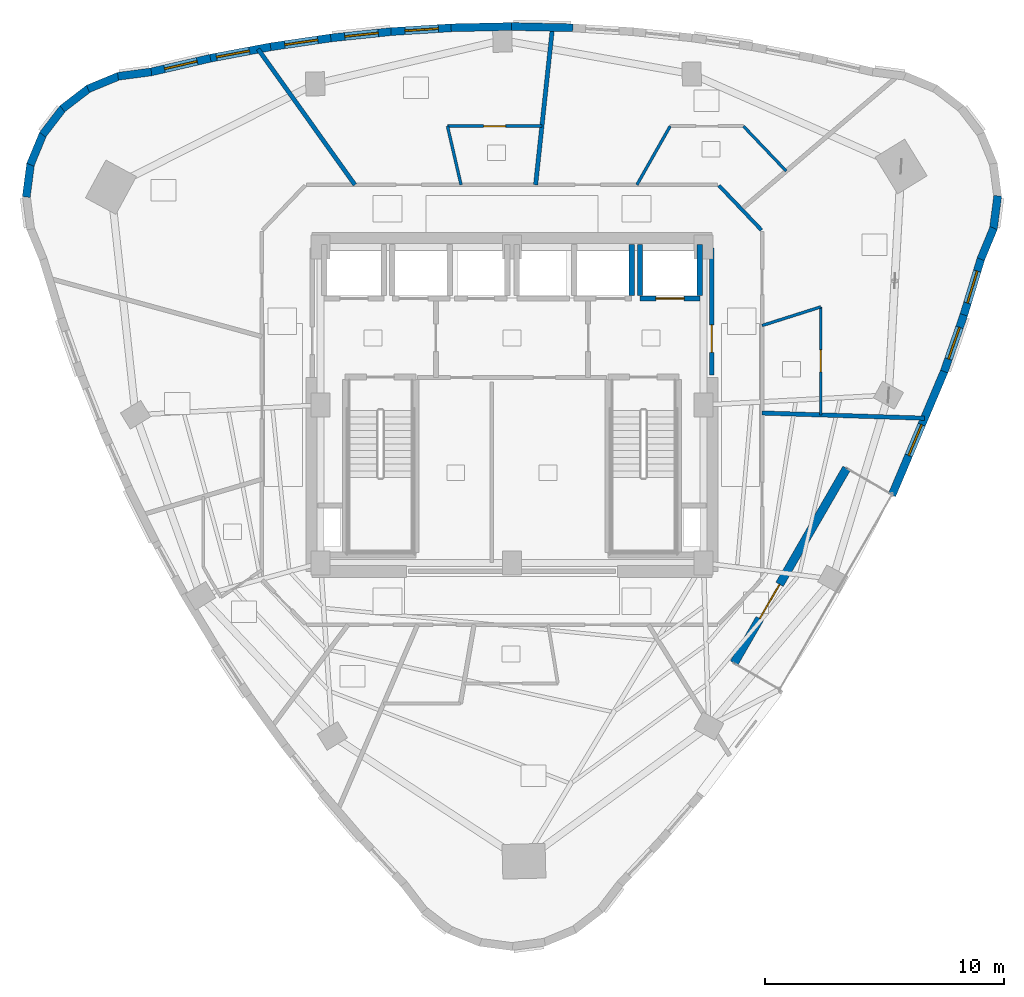
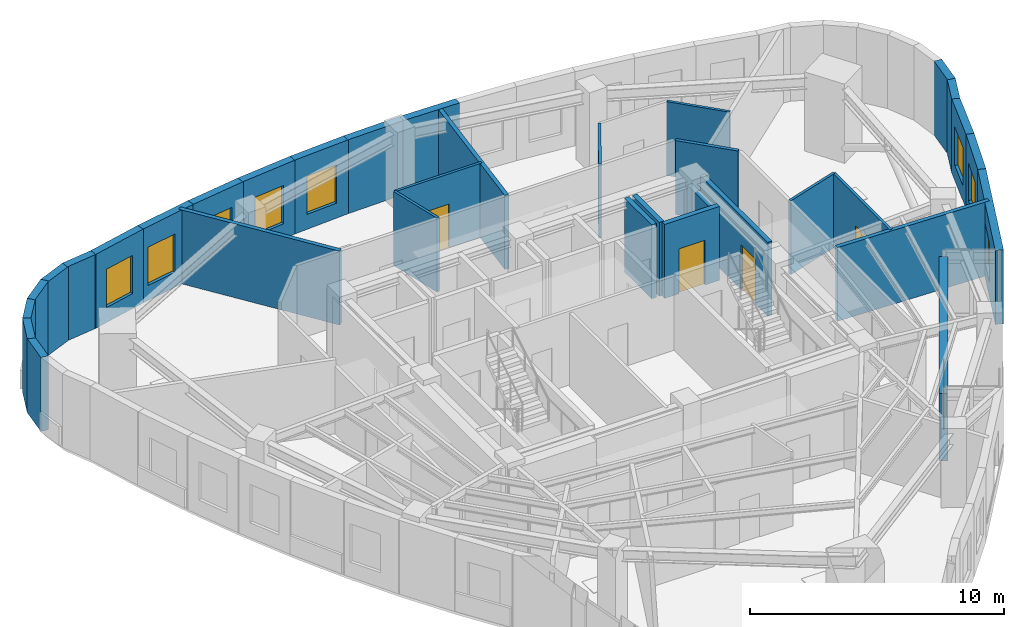
# One storey, part 8 of 12: 34 walls, 8 windows, 5 doors, 13 openings.
"""IFC4 building model written with IfcOpenShell, lengths in metres."""

from ifc_helpers import new_model, si_unit, direction, frame, frame_2d, origin, place, context, subcontext, project, spatial, rectangle, extrude, material, layer, layer_set, type_object, element, fill, save


model = new_model("IFC4")

# Units and contexts
model_context = context("Model", 3, precision=1e-05, world=origin(), true_north=direction((0.0, 1.0)))
body_context = subcontext(model_context, "Body", "Model", "MODEL_VIEW")
ifc_project = project(units=[si_unit("LENGTHUNIT", "METRE"), si_unit("AREAUNIT", "SQUARE_METRE"), si_unit("VOLUMEUNIT", "CUBIC_METRE"), si_unit("PLANEANGLEUNIT", "RADIAN"), si_unit("MASSUNIT", "GRAM", prefix="KILO")], contexts=[model_context])

# Site, building, storey
site_placement = place(None, origin())
site = spatial("IfcSite", under=ifc_project, at=site_placement, CompositionType="ELEMENT")
building_placement = place(site_placement, origin())
building = spatial("IfcBuilding", under=site, at=building_placement, Name="Ndelora Gate Hotel", CompositionType="ELEMENT")
storey_placement = place(building_placement, frame((0.0, 0.0, 213.14990234375)))
storey = spatial("IfcBuildingStorey", under=building, at=storey_placement, Name="L53", CompositionType="ELEMENT", Elevation=213.14990234375)

# Walls
ifc_material_1 = material(Name="Acoustic Double-Stud Gypsum Assembly", Category="gypsum")
ifc_layer_1 = layer(ifc_material_1, 0.179931640625)
ifc_layer_set_1 = layer_set([ifc_layer_1], Name="Acoustic Double-Stud Gypsum Assembly")
wall_type_1 = type_object("IfcWallType", Name="WL-ACOUST-180", PredefinedType="PARTITIONING", material=ifc_layer_set_1)
wall_1_placement = place(storey_placement, frame((10.449951171875, -0.335205078125, 0.0), z_axis=(0.0, 0.0, 1.0), x_axis=(0.99948738044, -0.032015251704, 0.0)))
element("IfcWall", 1, at=wall_1_placement, inside=storey, type_object=wall_type_1, Name="L53 Interior Wall IW-3", PredefinedType="PARTITIONING", context=body_context, shape_type="SweptSolid", body=[
    extrude(rectangle(XDim=6.786865234375, YDim=0.179931640625, at=frame_2d((3.3935546875, 0.0))), origin(), (0.0, 0.0, 1.0), 3.550048828125),
])
wall_2_placement = place(storey_placement, frame((0.98681640625, 9.199951171875, 0.0), z_axis=(0.0, 0.0, 1.0), x_axis=(0.106639959808, 0.994297701381, 0.0)))
element("IfcWall", 2, at=wall_2_placement, inside=storey, type_object=wall_type_1, Name="L53 Interior Wall IW-3", PredefinedType="PARTITIONING", context=body_context, shape_type="SweptSolid", body=[
    extrude(rectangle(XDim=6.616455078125, YDim=0.179931640625, at=frame_2d((3.30810546875, 0.0))), origin(), (0.0, 0.0, 1.0), 3.550048828125),
])
wall_3_placement = place(storey_placement, frame((-6.564697265625, 9.199951171875, 0.0), z_axis=(0.0, 0.0, 1.0), x_axis=(-0.580836708582, 0.814020096781, 0.0)))
element("IfcWall", 3, at=wall_3_placement, inside=storey, type_object=wall_type_1, Name="L53 Interior Wall IW-3", PredefinedType="PARTITIONING", context=body_context, shape_type="SweptSolid", body=[
    extrude(rectangle(XDim=6.96142578125, YDim=0.179931640625, at=frame_2d((3.480712890625, 0.0))), origin(), (0.0, 0.0, 1.0), 3.550048828125),
])
ifc_material_2 = material(Name="Clay Brick Masonry", Category="masonry")
ifc_layer_2 = layer(ifc_material_2, 0.330078125)
ifc_layer_set_2 = layer_set([ifc_layer_2], Name="Clay Brick Masonry")
wall_type_2 = type_object("IfcWallType", Name="WL-BRICK-330", PredefinedType="SOLIDWALL", material=ifc_layer_set_2)
for number, where, z_axis, x_axis, name in (
    (4, (-16.464111328125, 13.733642578125, 0.0), (0.0, 0.0, 1.0), (0.991434211429, 0.130607061093, 0.0), "L53 Tower Brick Pier-and-Spandrel Wall TWR-1"),
    (5, (-17.71630859375, 13.2080078125, 0.0), (0.0, 0.0, 1.0), (0.923885753275, 0.382668413767, 0.0), "L53 Tower Brick Pier-and-Spandrel Wall TWR-2"),
):
    element("IfcWall", number, at=place(storey_placement, frame(where, z_axis=z_axis, x_axis=x_axis)), inside=storey, type_object=wall_type_2, Name=name, PredefinedType="SOLIDWALL", context=body_context, shape_type="SweptSolid", body=[
        extrude(rectangle(XDim=1.407470703125, YDim=0.330078125, at=frame_2d((0.70361328125, 0.0))), origin(), (0.0, 0.0, 1.0), 3.550048828125),
    ])
wall_4_placement = place(storey_placement, frame((-18.7900390625, 12.3759765625, 0.0), z_axis=(0.0, 0.0, 1.0), x_axis=(0.793352193746, 0.608762923213, 0.0)))
element("IfcWall", 6, at=wall_4_placement, inside=storey, type_object=wall_type_2, Name="L53 Tower Brick Pier-and-Spandrel Wall TWR-3", PredefinedType="SOLIDWALL", context=body_context, shape_type="SweptSolid", body=[
    extrude(rectangle(XDim=1.4072265625, YDim=0.330078125, at=frame_2d((0.70361328125, 0.0))), origin(), (0.0, 0.0, 1.0), 3.550048828125),
])
for number, where, z_axis, x_axis, name in (
    (7, (-19.61181640625, 11.294189453125, 0.0), (0.0, 0.0, 1.0), (0.608679143886, 0.793416473107, 0.0), "L53 Tower Brick Pier-and-Spandrel Wall TWR-4"),
    (8, (-20.125732421875, 10.036865234375, 0.0), (0.0, 0.0, 1.0), (0.382668413767, 0.923885753275, 0.0), "L53 Tower Brick Pier-and-Spandrel Wall TWR-5"),
    (9, (-20.296630859375, 8.689208984375, 0.0), (0.0, 0.0, 1.0), (0.130607061093, 0.991434211429, 0.0), "L53 Tower Brick Pier-and-Spandrel Wall TWR-6"),
):
    element("IfcWall", number, at=place(storey_placement, frame(where, z_axis=z_axis, x_axis=x_axis)), inside=storey, type_object=wall_type_2, Name=name, PredefinedType="SOLIDWALL", context=body_context, shape_type="SweptSolid", body=[
        extrude(rectangle(XDim=1.407470703125, YDim=0.330078125, at=frame_2d((0.70361328125, 0.0))), origin(), (0.0, 0.0, 1.0), 3.550048828125),
    ])

# Wall, opening, window
wall_5_placement = place(storey_placement, frame((18.075927734375, 1.443603515625, 0.0), z_axis=(0.0, 0.0, 1.0), x_axis=(-0.388886562254, -0.921285646094, 0.0)))
wall_5 = element("IfcWall", 10, at=wall_5_placement, inside=storey, type_object=wall_type_2, Name="L53 Tower Brick Pier-and-Spandrel Wall TWR-36", PredefinedType="SOLIDWALL", context=body_context, shape_type="SweptSolid", body=[
    extrude(rectangle(XDim=5.656494140625, YDim=0.330078125, at=frame_2d((2.828125, 0.0))), origin(), (0.0, 0.0, 1.0), 3.550048828125),
])
opening_1_placement = place(wall_5_placement, frame((2.4599609375, 0.0, 0.719970703125)))
opening_1 = element("IfcOpeningElement", 11, at=opening_1_placement, cuts=wall_5, Name="Opening W02", PredefinedType="OPENING", context=body_context, shape_type="SweptSolid", body=[
    extrude(rectangle(XDim=1.39990234375, YDim=1.8798828125, at=frame_2d((0.699951171875, 0.93994140625))), frame((0.0, 0.175048828125, 0.0), z_axis=(0.0, -1.0, 0.0), x_axis=(1.0, 0.0, 0.0)), (0.0, 0.0, 1.0), 0.35009765625),
])
ifc_material_3 = material(Name="Insulated Low-E Double Glazing in Bronze Aluminium Frame", Category="aluminium")
window_type = type_object("IfcWindowType", Name="WN-DEEP-1400", PartitioningType="SINGLE_PANEL", PredefinedType="WINDOW", material=ifc_material_3)
window_1_placement = place(opening_1_placement, origin())
window_1 = element("IfcWindow", 12, at=window_1_placement, inside=storey, type_object=window_type, Name="L53 Deep-Set Brick-Pier Window W02", OverallHeight=1.8798828125, OverallWidth=1.39990234375, PartitioningType="SINGLE_PANEL", PredefinedType="WINDOW", context=body_context, shape_type="SweptSolid", body=[
    extrude(rectangle(XDim=1.39990234375, YDim=1.8798828125, at=frame_2d((0.699951171875, 0.93994140625))), frame((0.0, 0.030029296875, 0.0), z_axis=(0.0, -1.0, 0.0), x_axis=(1.0, 0.0, 0.0)), (0.0, 0.0, 1.0), 0.06005859375),
])
fill(opening_1, window_1)

wall_6_placement = place(storey_placement, frame((18.8818359375, 3.7666015625, 0.0), z_axis=(0.0, 0.0, 1.0), x_axis=(-0.32834699172, -0.94455717298, 0.0)))
wall_6 = element("IfcWall", 13, at=wall_6_placement, inside=storey, type_object=wall_type_2, Name="L53 Tower Brick Pier-and-Spandrel Wall TWR-37", PredefinedType="SOLIDWALL", context=body_context, shape_type="SweptSolid", body=[
    extrude(rectangle(XDim=2.5087890625, YDim=0.330078125, at=frame_2d((1.25439453125, 0.0))), origin(), (0.0, 0.0, 1.0), 3.550048828125),
])
opening_2_placement = place(wall_6_placement, frame((0.554443359375, 0.0, 0.719970703125)))
opening_2 = element("IfcOpeningElement", 14, at=opening_2_placement, cuts=wall_6, Name="Opening W02", PredefinedType="OPENING", context=body_context, shape_type="SweptSolid", body=[
    extrude(rectangle(XDim=1.39990234375, YDim=1.840087890625, at=frame_2d((0.699951171875, 0.919921875))), frame((0.0, 0.175048828125, 0.0), z_axis=(0.0, -1.0, 0.0), x_axis=(1.0, 0.0, 0.0)), (0.0, 0.0, 1.0), 0.35009765625),
])
window_2_placement = place(opening_2_placement, origin())
window_2 = element("IfcWindow", 15, at=window_2_placement, inside=storey, type_object=window_type, Name="L53 Deep-Set Brick-Pier Window W02", OverallHeight=1.840087890625, OverallWidth=1.39990234375, PartitioningType="SINGLE_PANEL", PredefinedType="WINDOW", context=body_context, shape_type="SweptSolid", body=[
    extrude(rectangle(XDim=1.39990234375, YDim=1.840087890625, at=frame_2d((0.699951171875, 0.919921875))), frame((0.0, 0.030029296875, 0.0), z_axis=(0.0, -1.0, 0.0), x_axis=(1.0, 0.0, 0.0)), (0.0, 0.0, 1.0), 0.06005859375),
])
fill(opening_2, window_2)

wall_7_placement = place(storey_placement, frame((19.60400390625, 6.137939453125, 0.0), z_axis=(0.0, 0.0, 1.0), x_axis=(-0.291764725471, -0.95649011755, 0.0)))
wall_7 = element("IfcWall", 16, at=wall_7_placement, inside=storey, type_object=wall_type_2, Name="L53 Tower Brick Pier-and-Spandrel Wall TWR-38", PredefinedType="SOLIDWALL", context=body_context, shape_type="SweptSolid", body=[
    extrude(rectangle(XDim=2.52880859375, YDim=0.330078125, at=frame_2d((1.264404296875, 0.0))), origin(), (0.0, 0.0, 1.0), 3.550048828125),
])
opening_3_placement = place(wall_7_placement, frame((0.564453125, 0.0, 0.719970703125)))
opening_3 = element("IfcOpeningElement", 17, at=opening_3_placement, cuts=wall_7, Name="Opening W02", PredefinedType="OPENING", context=body_context, shape_type="SweptSolid", body=[
    extrude(rectangle(XDim=1.39990234375, YDim=1.840087890625, at=frame_2d((0.699951171875, 0.919921875))), frame((0.0, 0.175048828125, 0.0), z_axis=(0.0, -1.0, 0.0), x_axis=(1.0, 0.0, 0.0)), (0.0, 0.0, 1.0), 0.35009765625),
])
window_3_placement = place(opening_3_placement, origin())
window_3 = element("IfcWindow", 18, at=window_3_placement, inside=storey, type_object=window_type, Name="L53 Deep-Set Brick-Pier Window W02", OverallHeight=1.840087890625, OverallWidth=1.39990234375, PartitioningType="SINGLE_PANEL", PredefinedType="WINDOW", context=body_context, shape_type="SweptSolid", body=[
    extrude(rectangle(XDim=1.39990234375, YDim=1.840087890625, at=frame_2d((0.699951171875, 0.919921875))), frame((0.0, 0.030029296875, 0.0), z_axis=(0.0, -1.0, 0.0), x_axis=(1.0, 0.0, 0.0)), (0.0, 0.0, 1.0), 0.06005859375),
])
fill(opening_3, window_3)

# Walls
for number, where, z_axis, x_axis, name in (
    (19, (20.125732421875, 7.391357421875, 0.0), (0.0, 0.0, 1.0), (-0.382668413767, -0.923885753275, 0.0), "L53 Tower Brick Pier-and-Spandrel Wall TWR-39"),
    (20, (20.296630859375, 8.739013671875, 0.0), (0.0, 0.0, 1.0), (-0.130607061093, -0.991434211429, 0.0), "L53 Tower Brick Pier-and-Spandrel Wall TWR-40"),
):
    element("IfcWall", number, at=place(storey_placement, frame(where, z_axis=z_axis, x_axis=x_axis)), inside=storey, type_object=wall_type_2, Name=name, PredefinedType="SOLIDWALL", context=body_context, shape_type="SweptSolid", body=[
        extrude(rectangle(XDim=1.407470703125, YDim=0.330078125, at=frame_2d((0.70361328125, 0.0))), origin(), (0.0, 0.0, 1.0), 3.550048828125),
    ])
for number, where, z_axis, x_axis, name in (
    (21, (-0.02490234375, 15.814697265625, 0.0), (0.0, 0.0, 1.0), (0.999780904987, -0.02093184232, 0.0), "L53 Tower Brick Pier-and-Spandrel Wall TWR-52"),
    (22, (-2.54052734375, 15.760986328125, 0.0), (0.0, 0.0, 1.0), (0.999780904987, 0.02093184232, 0.0), "L53 Tower Brick Pier-and-Spandrel Wall TWR-53"),
):
    element("IfcWall", number, at=place(storey_placement, frame(where, z_axis=z_axis, x_axis=x_axis)), inside=storey, type_object=wall_type_2, Name=name, PredefinedType="SOLIDWALL", context=body_context, shape_type="SweptSolid", body=[
        extrude(rectangle(XDim=2.56591796875, YDim=0.330078125, at=frame_2d((1.282958984375, 0.0))), origin(), (0.0, 0.0, 1.0), 3.550048828125),
    ])

# Wall, opening, window
wall_8_placement = place(storey_placement, frame((-5.05615234375, 15.601318359375, 0.0), z_axis=(0.0, 0.0, 1.0), x_axis=(0.998021787146, 0.062869009715, 0.0)))
wall_8 = element("IfcWall", 23, at=wall_8_placement, inside=storey, type_object=wall_type_2, Name="L53 Tower Brick Pier-and-Spandrel Wall TWR-54", PredefinedType="SOLIDWALL", context=body_context, shape_type="SweptSolid", body=[
    extrude(rectangle(XDim=2.57080078125, YDim=0.330078125, at=frame_2d((1.285400390625, 0.0))), origin(), (0.0, 0.0, 1.0), 3.550048828125),
])
opening_4_placement = place(wall_8_placement, frame((0.585205078125, 0.0, 0.719970703125)))
opening_4 = element("IfcOpeningElement", 24, at=opening_4_placement, cuts=wall_8, Name="Opening W02", PredefinedType="OPENING", context=body_context, shape_type="SweptSolid", body=[
    extrude(rectangle(XDim=1.39990234375, YDim=1.840087890625, at=frame_2d((0.699951171875, 0.919921875))), frame((0.0, 0.175048828125, 0.0), z_axis=(0.0, -1.0, 0.0), x_axis=(1.0, 0.0, 0.0)), (0.0, 0.0, 1.0), 0.35009765625),
])
window_4_placement = place(opening_4_placement, origin())
window_4 = element("IfcWindow", 25, at=window_4_placement, inside=storey, type_object=window_type, Name="L53 Deep-Set Brick-Pier Window W02", OverallHeight=1.840087890625, OverallWidth=1.39990234375, PartitioningType="SINGLE_PANEL", PredefinedType="WINDOW", context=body_context, shape_type="SweptSolid", body=[
    extrude(rectangle(XDim=1.39990234375, YDim=1.840087890625, at=frame_2d((0.699951171875, 0.919921875))), frame((0.0, 0.030029296875, 0.0), z_axis=(0.0, -1.0, 0.0), x_axis=(1.0, 0.0, 0.0)), (0.0, 0.0, 1.0), 0.06005859375),
])
fill(opening_4, window_4)

wall_9_placement = place(storey_placement, frame((-7.571533203125, 15.33642578125, 0.0), z_axis=(0.0, 0.0, 1.0), x_axis=(0.994536008198, 0.104394101355, 0.0)))
wall_9 = element("IfcWall", 26, at=wall_9_placement, inside=storey, type_object=wall_type_2, Name="L53 Tower Brick Pier-and-Spandrel Wall TWR-55", PredefinedType="SOLIDWALL", context=body_context, shape_type="SweptSolid", body=[
    extrude(rectangle(XDim=2.57958984375, YDim=0.330078125, at=frame_2d((1.289794921875, 0.0))), origin(), (0.0, 0.0, 1.0), 3.550048828125),
])
opening_5_placement = place(wall_9_placement, frame((0.589599609375, 0.0, 0.719970703125)))
opening_5 = element("IfcOpeningElement", 27, at=opening_5_placement, cuts=wall_9, Name="Opening W02", PredefinedType="OPENING", context=body_context, shape_type="SweptSolid", body=[
    extrude(rectangle(XDim=1.39990234375, YDim=1.840087890625, at=frame_2d((0.699951171875, 0.919921875))), frame((0.0, 0.175048828125, 0.0), z_axis=(0.0, -1.0, 0.0), x_axis=(1.0, 0.0, 0.0)), (0.0, 0.0, 1.0), 0.35009765625),
])
window_5_placement = place(opening_5_placement, origin())
window_5 = element("IfcWindow", 28, at=window_5_placement, inside=storey, type_object=window_type, Name="L53 Deep-Set Brick-Pier Window W02", OverallHeight=1.840087890625, OverallWidth=1.39990234375, PartitioningType="SINGLE_PANEL", PredefinedType="WINDOW", context=body_context, shape_type="SweptSolid", body=[
    extrude(rectangle(XDim=1.39990234375, YDim=1.840087890625, at=frame_2d((0.699951171875, 0.919921875))), frame((0.0, 0.030029296875, 0.0), z_axis=(0.0, -1.0, 0.0), x_axis=(1.0, 0.0, 0.0)), (0.0, 0.0, 1.0), 0.06005859375),
])
fill(opening_5, window_5)

wall_10_placement = place(storey_placement, frame((-10.0869140625, 14.966064453125, 0.0), z_axis=(0.0, 0.0, 1.0), x_axis=(0.989386229934, 0.145309628097, 0.0)))
wall_10 = element("IfcWall", 29, at=wall_10_placement, inside=storey, type_object=wall_type_2, Name="L53 Tower Brick Pier-and-Spandrel Wall TWR-56", PredefinedType="SOLIDWALL", context=body_context, shape_type="SweptSolid", body=[
    extrude(rectangle(XDim=2.592529296875, YDim=0.330078125, at=frame_2d((1.29638671875, 0.0))), origin(), (0.0, 0.0, 1.0), 3.550048828125),
])
opening_6_placement = place(wall_10_placement, frame((0.59619140625, 0.0, 0.719970703125)))
opening_6 = element("IfcOpeningElement", 30, at=opening_6_placement, cuts=wall_10, Name="Opening W02", PredefinedType="OPENING", context=body_context, shape_type="SweptSolid", body=[
    extrude(rectangle(XDim=1.39990234375, YDim=1.840087890625, at=frame_2d((0.699951171875, 0.919921875))), frame((0.0, 0.175048828125, 0.0), z_axis=(0.0, -1.0, 0.0), x_axis=(1.0, 0.0, 0.0)), (0.0, 0.0, 1.0), 0.35009765625),
])
window_6_placement = place(opening_6_placement, origin())
window_6 = element("IfcWindow", 31, at=window_6_placement, inside=storey, type_object=window_type, Name="L53 Deep-Set Brick-Pier Window W02", OverallHeight=1.840087890625, OverallWidth=1.39990234375, PartitioningType="SINGLE_PANEL", PredefinedType="WINDOW", context=body_context, shape_type="SweptSolid", body=[
    extrude(rectangle(XDim=1.39990234375, YDim=1.840087890625, at=frame_2d((0.699951171875, 0.919921875))), frame((0.0, 0.030029296875, 0.0), z_axis=(0.0, -1.0, 0.0), x_axis=(1.0, 0.0, 0.0)), (0.0, 0.0, 1.0), 0.06005859375),
])
fill(opening_6, window_6)

wall_11_placement = place(storey_placement, frame((-12.602294921875, 14.489990234375, 0.0), z_axis=(0.0, 0.0, 1.0), x_axis=(0.982628840182, 0.185581686713, 0.0)))
wall_11 = element("IfcWall", 32, at=wall_11_placement, inside=storey, type_object=wall_type_2, Name="L53 Tower Brick Pier-and-Spandrel Wall TWR-57", PredefinedType="SOLIDWALL", context=body_context, shape_type="SweptSolid", body=[
    extrude(rectangle(XDim=2.610107421875, YDim=0.330078125, at=frame_2d((1.30517578125, 0.0))), origin(), (0.0, 0.0, 1.0), 3.550048828125),
])
opening_7_placement = place(wall_11_placement, frame((0.260009765625, 0.0, 0.719970703125)))
opening_7 = element("IfcOpeningElement", 33, at=opening_7_placement, cuts=wall_11, Name="Opening W02", PredefinedType="OPENING", context=body_context, shape_type="SweptSolid", body=[
    extrude(rectangle(XDim=1.39990234375, YDim=1.840087890625, at=frame_2d((0.699951171875, 0.919921875))), frame((0.0, 0.175048828125, 0.0), z_axis=(0.0, -1.0, 0.0), x_axis=(1.0, 0.0, 0.0)), (0.0, 0.0, 1.0), 0.35009765625),
])
window_7_placement = place(opening_7_placement, origin())
window_7 = element("IfcWindow", 34, at=window_7_placement, inside=storey, type_object=window_type, Name="L53 Deep-Set Brick-Pier Window W02", OverallHeight=1.840087890625, OverallWidth=1.39990234375, PartitioningType="SINGLE_PANEL", PredefinedType="WINDOW", context=body_context, shape_type="SweptSolid", body=[
    extrude(rectangle(XDim=1.39990234375, YDim=1.840087890625, at=frame_2d((0.699951171875, 0.919921875))), frame((0.0, 0.030029296875, 0.0), z_axis=(0.0, -1.0, 0.0), x_axis=(1.0, 0.0, 0.0)), (0.0, 0.0, 1.0), 0.06005859375),
])
fill(opening_7, window_7)

wall_12_placement = place(storey_placement, frame((-15.11767578125, 13.908447265625, 0.0), z_axis=(0.0, 0.0, 1.0), x_axis=(0.974386504753, 0.224879833145, 0.0)))
wall_12 = element("IfcWall", 35, at=wall_12_placement, inside=storey, type_object=wall_type_2, Name="L53 Tower Brick Pier-and-Spandrel Wall TWR-58", PredefinedType="SOLIDWALL", context=body_context, shape_type="SweptSolid", body=[
    extrude(rectangle(XDim=2.631591796875, YDim=0.330078125, at=frame_2d((1.31591796875, 0.0))), origin(), (0.0, 0.0, 1.0), 3.550048828125),
])
opening_8_placement = place(wall_12_placement, frame((0.61572265625, 0.0, 0.719970703125)))
opening_8 = element("IfcOpeningElement", 36, at=opening_8_placement, cuts=wall_12, Name="Opening W02", PredefinedType="OPENING", context=body_context, shape_type="SweptSolid", body=[
    extrude(rectangle(XDim=1.39990234375, YDim=1.840087890625, at=frame_2d((0.699951171875, 0.919921875))), frame((0.0, 0.175048828125, 0.0), z_axis=(0.0, -1.0, 0.0), x_axis=(1.0, 0.0, 0.0)), (0.0, 0.0, 1.0), 0.35009765625),
])
window_8_placement = place(opening_8_placement, origin())
window_8 = element("IfcWindow", 37, at=window_8_placement, inside=storey, type_object=window_type, Name="L53 Deep-Set Brick-Pier Window W02", OverallHeight=1.840087890625, OverallWidth=1.39990234375, PartitioningType="SINGLE_PANEL", PredefinedType="WINDOW", context=body_context, shape_type="SweptSolid", body=[
    extrude(rectangle(XDim=1.39990234375, YDim=1.840087890625, at=frame_2d((0.699951171875, 0.919921875))), frame((0.0, 0.030029296875, 0.0), z_axis=(0.0, -1.0, 0.0), x_axis=(1.0, 0.0, 0.0)), (0.0, 0.0, 1.0), 0.06005859375),
])
fill(opening_8, window_8)

# Wall, opening, door
ifc_layer_3 = layer(ifc_material_2, 0.360107421875)
ifc_layer_set_3 = layer_set([ifc_layer_3], Name="Clay Brick Masonry")
wall_type_3 = type_object("IfcWallType", Name="WL-BRICK-360", PredefinedType="SOLIDWALL", material=ifc_layer_set_3)
wall_13_placement = place(storey_placement, frame((13.980712890625, -2.64453125, 0.0), z_axis=(0.0, 0.0, 1.0), x_axis=(-0.500004972392, -0.866022532953, 0.0)))
wall_13 = element("IfcWall", 38, at=wall_13_placement, inside=storey, type_object=wall_type_3, Name="L53 Sky-Garden Loggia Rear Brick Wall", PredefinedType="SOLIDWALL", context=body_context, shape_type="SweptSolid", body=[
    extrude(rectangle(XDim=9.400390625, YDim=0.360107421875, at=frame_2d((4.7001953125, 0.0))), origin(), (0.0, 0.0, 1.0), 3.22998046875),
])
opening_9_placement = place(wall_13_placement, frame((5.60009765625, 0.0, 0.0)))
opening_9 = element("IfcOpeningElement", 39, at=opening_9_placement, cuts=wall_13, Name="Opening TD1", PredefinedType="OPENING", context=body_context, shape_type="SweptSolid", body=[
    extrude(rectangle(XDim=1.64990234375, YDim=2.25, at=frame_2d((0.824951171875, 1.125))), frame((0.0, 0.18994140625, 0.0), z_axis=(0.0, -1.0, 0.0), x_axis=(1.0, 0.0, 0.0)), (0.0, 0.0, 1.0), 0.380126953125),
])
ifc_material_4 = material(Name="Architectural Bronze Glazed Door", Category="metal")
door_type_1 = type_object("IfcDoorType", Name="DR-TER-1650", OperationType="DOUBLE_DOOR_SINGLE_SWING", PredefinedType="DOOR", material=ifc_material_4)
door_1_placement = place(opening_9_placement, origin())
door_1 = element("IfcDoor", 40, at=door_1_placement, inside=storey, type_object=door_type_1, Name="L53 Sky-Garden Terrace Double Door TD1", OperationType="DOUBLE_DOOR_SINGLE_SWING", OverallHeight=2.25, OverallWidth=1.64990234375, PredefinedType="DOOR", context=body_context, shape_type="SweptSolid", body=[
    extrude(rectangle(XDim=1.64990234375, YDim=2.25, at=frame_2d((0.824951171875, 1.125))), frame((0.0, 0.02490234375, 0.0), z_axis=(0.0, -1.0, 0.0), x_axis=(1.0, 0.0, 0.0)), (0.0, 0.0, 1.0), 0.050048828125),
])
fill(opening_9, door_1)

ifc_material_5 = material(Name="Concrete C40/50", Category="concrete")
ifc_layer_4 = layer(ifc_material_5, 0.199951171875)
ifc_layer_set_4 = layer_set([ifc_layer_4], Name="Concrete C40/50")
wall_type_4 = type_object("IfcWallType", Name="WL-FIRE-200", PredefinedType="PARTITIONING", material=ifc_layer_set_4)
wall_14_placement = place(storey_placement, frame((8.35009765625, 1.25, 0.0), z_axis=(0.0, 0.0, 1.0), x_axis=(0.0, 1.0, 0.0)))
wall_14 = element("IfcWall", 41, at=wall_14_placement, inside=storey, type_object=wall_type_4, Name="L53 Interior Wall IW-2", PredefinedType="PARTITIONING", context=body_context, shape_type="SweptSolid", body=[
    extrude(rectangle(XDim=5.300048828125, YDim=0.199951171875, at=frame_2d((2.64990234375, 0.0))), origin(), (0.0, 0.0, 1.0), 3.550048828125),
])
opening_10_placement = place(wall_14_placement, frame((0.949951171875, 0.0, 0.0)))
opening_10 = element("IfcOpeningElement", 42, at=opening_10_placement, cuts=wall_14, Name="Opening FD1", PredefinedType="OPENING", context=body_context, shape_type="SweptSolid", body=[
    extrude(rectangle(XDim=1.14990234375, YDim=2.14990234375, at=frame_2d((0.574951171875, 1.074951171875))), frame((0.0, 0.10986328125, 0.0), z_axis=(0.0, -1.0, 0.0), x_axis=(1.0, 0.0, 0.0)), (0.0, 0.0, 1.0), 0.219970703125),
])
ifc_material_6 = material(Name="Fire-Rated Timber-Veneer Steel Core", Category="steel")
door_type_2 = type_object("IfcDoorType", Name="DR-FD60", OperationType="SINGLE_SWING_LEFT", PredefinedType="DOOR", material=ifc_material_6)
door_2_placement = place(opening_10_placement, origin())
door_2 = element("IfcDoor", 43, at=door_2_placement, inside=storey, type_object=door_type_2, Name="L53 Firefighting Lobby East Corridor Door", OperationType="SINGLE_SWING_RIGHT", OverallHeight=2.14990234375, OverallWidth=1.14990234375, PredefinedType="DOOR", context=body_context, shape_type="SweptSolid", body=[
    extrude(rectangle(XDim=1.14990234375, YDim=2.14990234375, at=frame_2d((0.574951171875, 1.074951171875))), frame((0.0, 0.02490234375, 0.0), z_axis=(0.0, -1.0, 0.0), x_axis=(1.0, 0.0, 0.0)), (0.0, 0.0, 1.0), 0.050048828125),
])
fill(opening_10, door_2)

# Wall
ifc_material_7 = material(Name="Fire-Rated Gypsum Stud Partition", Category="gypsum")
ifc_layer_5 = layer(ifc_material_7, 0.14990234375)
ifc_layer_set_5 = layer_set([ifc_layer_5], Name="Fire-Rated Gypsum Stud Partition")
wall_type_5 = type_object("IfcWallType", Name="WL-PART-150", PredefinedType="PARTITIONING", material=ifc_layer_set_5)
wall_15_placement = place(storey_placement, frame((8.647705078125, 9.1708984375, 0.0), z_axis=(0.0, 0.0, 1.0), x_axis=(0.689960858356, -0.723846678473, 0.0)))
element("IfcWall", 44, at=wall_15_placement, inside=storey, type_object=wall_type_5, Name="L53 Interior Wall IW-5", PredefinedType="PARTITIONING", context=body_context, shape_type="SweptSolid", body=[
    extrude(rectangle(XDim=2.572021484375, YDim=0.14990234375, at=frame_2d((1.2861328125, 0.0))), origin(), (0.0, 0.0, 1.0), 3.550048828125),
])

# Wall, opening, door
ifc_layer_6 = layer(ifc_material_5, 0.219970703125)
ifc_layer_set_6 = layer_set([ifc_layer_6], Name="Concrete C40/50")
wall_type_6 = type_object("IfcWallType", Name="WL-SHAFT-220", PredefinedType="PARTITIONING", material=ifc_layer_set_6)
wall_16_placement = place(storey_placement, frame((5.35009765625, 4.449951171875, 0.0), z_axis=(0.0, 0.0, 1.0), x_axis=(1.0, 0.0, 0.0)))
wall_16 = element("IfcWall", 45, at=wall_16_placement, inside=storey, type_object=wall_type_6, Name="L53 Interior Wall IW-1", PredefinedType="PARTITIONING", context=body_context, shape_type="SweptSolid", body=[
    extrude(rectangle(XDim=2.5, YDim=0.219970703125, at=frame_2d((1.25, 0.0))), origin(), (0.0, 0.0, 1.0), 3.550048828125),
])
opening_11_placement = place(wall_16_placement, frame((0.659912109375, 0.0, 0.0)))
opening_11 = element("IfcOpeningElement", 46, at=opening_11_placement, cuts=wall_16, Name="Opening LD5", PredefinedType="OPENING", context=body_context, shape_type="SweptSolid", body=[
    extrude(rectangle(XDim=1.179931640625, YDim=2.14990234375, at=frame_2d((0.58984375, 1.074951171875))), frame((0.0, 0.1201171875, 0.0), z_axis=(0.0, -1.0, 0.0), x_axis=(1.0, 0.0, 0.0)), (0.0, 0.0, 1.0), 0.239990234375),
])
ifc_material_8 = material(Name="Firefighting Lift Stainless Sliding Landing Door", Category="metal")
door_type_3 = type_object("IfcDoorType", Name="DR-LD5", OperationType="DOUBLE_DOOR_SLIDING", PredefinedType="DOOR", material=ifc_material_8)
door_3_placement = place(opening_11_placement, origin())
door_3 = element("IfcDoor", 47, at=door_3_placement, inside=storey, type_object=door_type_3, Name="L53 Lift Landing Sliding Door FFL2", OperationType="DOUBLE_DOOR_SLIDING", OverallHeight=2.14990234375, OverallWidth=1.179931640625, PredefinedType="DOOR", context=body_context, shape_type="SweptSolid", body=[
    extrude(rectangle(XDim=1.179931640625, YDim=2.14990234375, at=frame_2d((0.58984375, 1.074951171875))), frame((0.0, 0.02490234375, 0.0), z_axis=(0.0, -1.0, 0.0), x_axis=(1.0, 0.0, 0.0)), (0.0, 0.0, 1.0), 0.050048828125),
])
fill(opening_11, door_3)

# Walls
wall_17_placement = place(storey_placement, frame((5.35009765625, 4.570068359375, 0.0), z_axis=(0.0, 0.0, 1.0), x_axis=(0.0, 1.0, 0.0)))
element("IfcWall", 48, at=wall_17_placement, inside=storey, type_object=wall_type_6, Name="L53 Interior Wall IW-1", PredefinedType="PARTITIONING", context=body_context, shape_type="SweptSolid", body=[
    extrude(rectangle(XDim=2.1298828125, YDim=0.219970703125, at=frame_2d((1.06494140625, 0.0))), origin(), (0.0, 0.0, 1.0), 3.550048828125),
])
wall_18_placement = place(storey_placement, frame((7.85009765625, 4.570068359375, 0.0), z_axis=(0.0, 0.0, 1.0), x_axis=(0.0, 1.0, 0.0)))
element("IfcWall", 49, at=wall_18_placement, inside=storey, type_object=wall_type_6, Name="L53 Interior Wall IW-1", PredefinedType="PARTITIONING", context=body_context, shape_type="SweptSolid", body=[
    extrude(rectangle(XDim=2.1298828125, YDim=0.219970703125, at=frame_2d((1.06494140625, 0.0))), origin(), (0.0, 0.0, 1.0), 3.18017578125),
])
wall_19_placement = place(storey_placement, frame((5.0, 4.570068359375, 0.0), z_axis=(0.0, 0.0, 1.0), x_axis=(0.0, 1.0, 0.0)))
element("IfcWall", 50, at=wall_19_placement, inside=storey, type_object=wall_type_6, Name="L53 Interior Wall IW-1", PredefinedType="PARTITIONING", context=body_context, shape_type="SweptSolid", body=[
    extrude(rectangle(XDim=2.1298828125, YDim=0.219970703125, at=frame_2d((1.06494140625, 0.0))), origin(), (0.0, 0.0, 1.0), 3.550048828125),
])
ifc_material_9 = material(Name="Moisture-Resistant Bathroom Tile Partition", Category="gypsum")
ifc_layer_7 = layer(ifc_material_9, 0.1201171875)
ifc_layer_set_7 = layer_set([ifc_layer_7], Name="Moisture-Resistant Bathroom Tile Partition")
wall_type_7 = type_object("IfcWallType", Name="WL-WET-120", PredefinedType="PARTITIONING", material=ifc_layer_set_7)
wall_20_placement = place(storey_placement, frame((10.449951171875, 3.3193359375, 0.0), z_axis=(0.0, 0.0, 1.0), x_axis=(0.953089043955, 0.302690063088, 0.0)))
element("IfcWall", 51, at=wall_20_placement, inside=storey, type_object=wall_type_7, Name="L53 Interior Wall IW-7", PredefinedType="PARTITIONING", context=body_context, shape_type="SweptSolid", body=[
    extrude(rectangle(XDim=2.570556640625, YDim=0.1201171875, at=frame_2d((1.28515625, 0.0))), origin(), (0.0, 0.0, 1.0), 3.550048828125),
])

# Wall, opening, door
wall_21_placement = place(storey_placement, frame((12.89990234375, 4.097412109375, 0.0), z_axis=(0.0, 0.0, 1.0), x_axis=(0.0, -1.0, 0.0)))
wall_21 = element("IfcWall", 52, at=wall_21_placement, inside=storey, type_object=wall_type_7, Name="L53 Interior Wall IW-7", PredefinedType="PARTITIONING", context=body_context, shape_type="SweptSolid", body=[
    extrude(rectangle(XDim=4.51123046875, YDim=0.1201171875, at=frame_2d((2.255615234375, 0.0))), origin(), (0.0, 0.0, 1.0), 3.550048828125),
])
opening_12_placement = place(wall_21_placement, frame((1.795654296875, 0.0, 0.0)))
opening_12 = element("IfcOpeningElement", 53, at=opening_12_placement, cuts=wall_21, Name="Opening D03", PredefinedType="OPENING", context=body_context, shape_type="SweptSolid", body=[
    extrude(rectangle(XDim=0.919921875, YDim=2.10009765625, at=frame_2d((0.4599609375, 1.050048828125))), frame((0.0, 0.070068359375, 0.0), z_axis=(0.0, -1.0, 0.0), x_axis=(1.0, 0.0, 0.0)), (0.0, 0.0, 1.0), 0.14013671875),
])
ifc_material_10 = material(Name="Moisture-Resistant Hardwood En-Suite Door", Category="wood")
door_type_4 = type_object("IfcDoorType", Name="DR-BATH-920", OperationType="SINGLE_SWING_LEFT", PredefinedType="DOOR", material=ifc_material_10)
door_4_placement = place(opening_12_placement, origin())
door_4 = element("IfcDoor", 54, at=door_4_placement, inside=storey, type_object=door_type_4, Name="L53 En-suite Bathroom 5602 Door", OperationType="SINGLE_SWING_LEFT", OverallHeight=2.10009765625, OverallWidth=0.919921875, PredefinedType="DOOR", context=body_context, shape_type="SweptSolid", body=[
    extrude(rectangle(XDim=0.919921875, YDim=2.10009765625, at=frame_2d((0.4599609375, 1.050048828125))), frame((0.0, 0.02490234375, 0.0), z_axis=(0.0, -1.0, 0.0), x_axis=(1.0, 0.0, 0.0)), (0.0, 0.0, 1.0), 0.050048828125),
])
fill(opening_12, door_4)

# Walls
wall_22_placement = place(storey_placement, frame((5.218994140625, 9.199951171875, 0.0), z_axis=(0.0, 0.0, 1.0), x_axis=(0.493438960936, 0.869780427367, 0.0)))
element("IfcWall", 55, at=wall_22_placement, inside=storey, type_object=wall_type_7, Name="L53 Interior Wall IW-7", PredefinedType="PARTITIONING", context=body_context, shape_type="SweptSolid", body=[
    extrude(rectangle(XDim=2.816650390625, YDim=0.1201171875, at=frame_2d((1.408203125, 0.0))), origin(), (0.0, 0.0, 1.0), 3.550048828125),
])
wall_23_placement = place(storey_placement, frame((11.4580078125, 9.773681640625, 0.0), z_axis=(0.0, 0.0, 1.0), x_axis=(-0.689998460941, 0.723810834334, 0.0)))
element("IfcWall", 56, at=wall_23_placement, inside=storey, type_object=wall_type_7, Name="L53 Interior Wall IW-7", PredefinedType="PARTITIONING", context=body_context, shape_type="SweptSolid", body=[
    extrude(rectangle(XDim=2.592041015625, YDim=0.1201171875, at=frame_2d((1.2958984375, 0.0))), origin(), (0.0, 0.0, 1.0), 3.550048828125),
])
wall_24_placement = place(storey_placement, frame((-2.12890625, 9.199951171875, 0.0), z_axis=(0.0, 0.0, 1.0), x_axis=(-0.225433802515, 0.974258487612, 0.0)))
element("IfcWall", 57, at=wall_24_placement, inside=storey, type_object=wall_type_7, Name="L53 Interior Wall IW-7", PredefinedType="PARTITIONING", context=body_context, shape_type="SweptSolid", body=[
    extrude(rectangle(XDim=2.5146484375, YDim=0.1201171875, at=frame_2d((1.25732421875, 0.0))), origin(), (0.0, 0.0, 1.0), 3.550048828125),
])

# Wall, opening, door
wall_25_placement = place(storey_placement, frame((-2.69580078125, 11.64990234375, 0.0), z_axis=(0.0, 0.0, 1.0), x_axis=(1.0, 0.0, 0.0)))
wall_25 = element("IfcWall", 58, at=wall_25_placement, inside=storey, type_object=wall_type_7, Name="L53 Interior Wall IW-7", PredefinedType="PARTITIONING", context=body_context, shape_type="SweptSolid", body=[
    extrude(rectangle(XDim=3.9453125, YDim=0.1201171875, at=frame_2d((1.97265625, 0.0))), origin(), (0.0, 0.0, 1.0), 3.550048828125),
])
opening_13_placement = place(wall_25_placement, frame((1.5126953125, 0.0, 0.0)))
opening_13 = element("IfcOpeningElement", 59, at=opening_13_placement, cuts=wall_25, Name="Opening D03", PredefinedType="OPENING", context=body_context, shape_type="SweptSolid", body=[
    extrude(rectangle(XDim=0.919921875, YDim=2.10009765625, at=frame_2d((0.4599609375, 1.050048828125))), frame((0.0, 0.070068359375, 0.0), z_axis=(0.0, -1.0, 0.0), x_axis=(1.0, 0.0, 0.0)), (0.0, 0.0, 1.0), 0.14013671875),
])
door_5_placement = place(opening_13_placement, origin())
door_5 = element("IfcDoor", 60, at=door_5_placement, inside=storey, type_object=door_type_4, Name="L53 En-suite Bathroom 5604 Door", OperationType="SINGLE_SWING_LEFT", OverallHeight=2.10009765625, OverallWidth=0.919921875, PredefinedType="DOOR", context=body_context, shape_type="SweptSolid", body=[
    extrude(rectangle(XDim=0.919921875, YDim=2.10009765625, at=frame_2d((0.4599609375, 1.050048828125))), frame((0.0, 0.02490234375, 0.0), z_axis=(0.0, -1.0, 0.0), x_axis=(1.0, 0.0, 0.0)), (0.0, 0.0, 1.0), 0.050048828125),
])
fill(opening_13, door_5)

save(model, "model.ifc")
